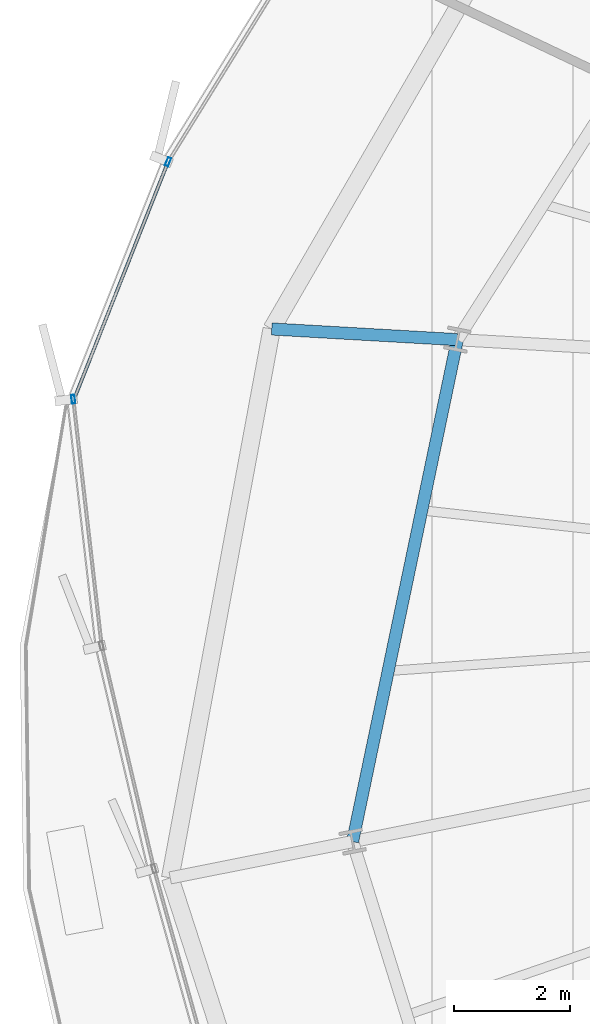
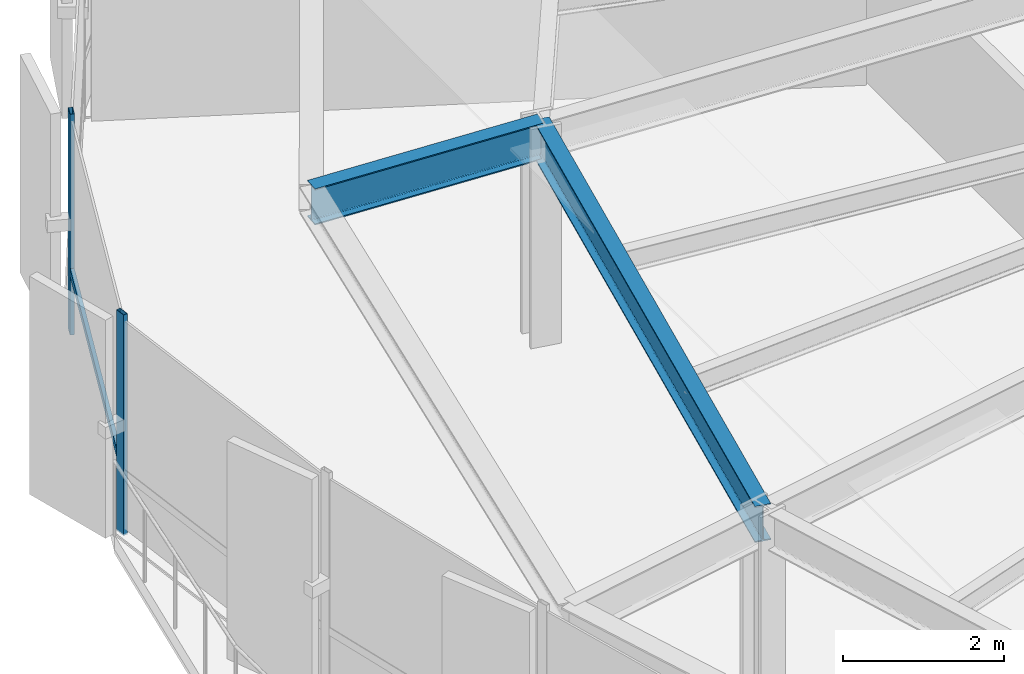
# One storey, part 10 of 33: 3 members, 2 beams, 1 element without a shape of its own.
"""IFC4 building model written with IfcOpenShell, lengths in metres."""

from ifc_helpers import new_model, si_unit, direction, frame, origin, origin_2d, place, context, subcontext, project, spatial, hollow_rectangle, i_section, extrude, source, transform, mapped, material, layer, layer_set, material_profile, profile_set, type_object, element, aggregate, save


model = new_model("IFC4")

# Units and contexts
model_context = context("Model", 3, precision=1e-05, world=origin(), true_north=direction((0.0, 1.0)))
body_context = subcontext(model_context, "Body", "Model", "MODEL_VIEW")
ifc_project = project(units=[si_unit("LENGTHUNIT", "METRE"), si_unit("AREAUNIT", "SQUARE_METRE"), si_unit("VOLUMEUNIT", "CUBIC_METRE"), si_unit("PLANEANGLEUNIT", "RADIAN"), si_unit("MASSUNIT", "GRAM", prefix="KILO"), si_unit("THERMODYNAMICTEMPERATUREUNIT", "KELVIN")], contexts=[model_context])

# Site, building, storey
site_placement = place(None, origin())
site = spatial("IfcSite", under=ifc_project, at=site_placement, CompositionType="ELEMENT")
building_placement = place(site_placement, origin())
building = spatial("IfcBuilding", under=site, at=building_placement, Name="Kethvar Cultural Tower", CompositionType="ELEMENT")
storey_placement = place(building_placement, frame((0.0, 0.0, 110.800048828125)))
storey = spatial("IfcBuildingStorey", under=building, at=storey_placement, Name="L27", CompositionType="ELEMENT", Elevation=110.800048828125)

# Beams
ifc_material_1 = material(Name="Steel S355J2", Category="steel")
ifc_material_profile_1 = material_profile(ifc_material_1, i_section(OverallWidth=0.2099609375, OverallDepth=0.550048828125, WebThickness=0.010986328125, FlangeThickness=0.01708984375, FilletRadius=0.02392578125, at=origin_2d()), Name="Steel S355J2 — IPE550")
ifc_profile_set_1 = profile_set([ifc_material_profile_1], Name="Steel S355J2 — IPE550")
beam_type = type_object("IfcBeamType", Name="BM-IPE550", PredefinedType="BEAM", material=ifc_profile_set_1)
shared_shape_1 = source(origin(), body_context, "Body", "SweptSolid", [
    extrude(i_section(OverallWidth=0.2099609375, OverallDepth=0.550048828125, WebThickness=0.010986328125, FlangeThickness=0.01708984375, FilletRadius=0.02392578125, at=origin_2d()), origin(), (0.0, 0.0, 1.0), 3.2001953125),
])
beam_1_placement = place(storey_placement, frame((25.988525390625, 31.939697265625, 3.072998046875), z_axis=(-0.998357274949, 0.057295301352, 0.0), x_axis=(-0.057295301352, -0.998357274949, 0.0)))
element("IfcBeam", 1, at=beam_1_placement, inside=storey, type_object=beam_type, Name="L27 Perimeter Cantilever Beam RC-08", PredefinedType="BEAM", context=body_context, shape_type="MappedRepresentation", body=[
    mapped(shared_shape_1, transform((0.0, 0.0, 0.0), scale=1.0)),
])
shared_shape_2 = source(origin(), body_context, "Body", "SweptSolid", [
    extrude(i_section(OverallWidth=0.2099609375, OverallDepth=0.550048828125, WebThickness=0.010986328125, FlangeThickness=0.01708984375, FilletRadius=0.02392578125, at=origin_2d()), origin(), (0.0, 0.0, 1.0), 8.82421875),
])
beam_2_placement = place(storey_placement, frame((25.988525390625, 31.939697265625, 3.072998046875), z_axis=(-0.204350879122, -0.978897705688, 0.0), x_axis=(0.978897705688, -0.204350879122, 0.0)))
element("IfcBeam", 2, at=beam_2_placement, inside=storey, type_object=beam_type, Name="L27 Column Ring Tie Beam CR-08", PredefinedType="BEAM", context=body_context, shape_type="MappedRepresentation", body=[
    mapped(shared_shape_2, transform((0.0, 0.0, 0.0), scale=1.0)),
])

# Curtain wall, members
ifc_material_2 = material(Name="Aluminium 6063-T6", Category="aluminium")
ifc_layer = layer(ifc_material_2, 0.179931640625, Name="Aluminium 6063-T6", Category="aluminium")
ifc_layer_set = layer_set([ifc_layer], Name="Aluminium 6063-T6 (180 mm)")
curtain_wall_type = type_object("IfcCurtainWallType", Name="CW-SYS-03-Z2", PredefinedType="NOTDEFINED", material=ifc_layer_set)
curtain_wall_placement = place(storey_placement, origin())
curtain_wall = element("IfcCurtainWall", 3, at=curtain_wall_placement, inside=storey, type_object=curtain_wall_type, Name="L27 Curtain Wall Run 03", PredefinedType="NOTDEFINED")
ifc_material_profile_2 = material_profile(ifc_material_2, hollow_rectangle(XDim=0.06005859375, YDim=0.14990234375, WallThickness=0.0048828125, at=origin_2d()), Name="Aluminium 6063-T6 — RHS150x60x5")
ifc_profile_set_2 = profile_set([ifc_material_profile_2], Name="Aluminium 6063-T6 — RHS150x60x5")
member_type_1 = type_object("IfcMemberType", Name="CW-SYS-03-Z2-MUL", PredefinedType="MULLION", material=ifc_profile_set_2)
shared_shape_3 = source(origin(), body_context, "Body", "SweptSolid", [
    extrude(hollow_rectangle(XDim=0.06005859375, YDim=0.14990234375, WallThickness=0.0048828125, at=origin_2d()), origin(), (0.0, 0.0, 1.0), 3.349853515625),
])
member_1_placement = place(storey_placement, frame((21.0107421875, 34.999267578125, 0.0), z_axis=(0.0, 0.0, 1.0), x_axis=(0.929757209657, -0.368173235163, 0.0)))
member_1 = element("IfcMember", 4, at=member_1_placement, type_object=member_type_1, Name="CW-L27-R03 Mullion 3", PredefinedType="MULLION", context=body_context, shape_type="MappedRepresentation", body=[
    mapped(shared_shape_3, transform((0.0, 0.0, 0.0), scale=1.0)),
])
member_2_placement = place(storey_placement, frame((19.37890625, 30.915283203125, 0.0), z_axis=(0.0, 0.0, 1.0), x_axis=(0.99344678164, 0.11429563443, 0.0)))
member_2 = element("IfcMember", 5, at=member_2_placement, type_object=member_type_1, Name="CW-L27-R03 Mullion 4", PredefinedType="MULLION", context=body_context, shape_type="MappedRepresentation", body=[
    mapped(shared_shape_3, transform((0.0, 0.0, 0.0), scale=1.0)),
])
ifc_material_profile_3 = material_profile(ifc_material_2, hollow_rectangle(XDim=0.054931640625, YDim=0.1201171875, WallThickness=0.00390625, at=origin_2d()), Name="Aluminium 6063-T6 — RHS120x55x4")
ifc_profile_set_3 = profile_set([ifc_material_profile_3], Name="Aluminium 6063-T6 — RHS120x55x4")
member_type_2 = type_object("IfcMemberType", Name="CW-SYS-03-Z2-TRN", PredefinedType="USERDEFINED", material=ifc_profile_set_3)
shared_shape_4 = source(origin(), body_context, "Body", "SweptSolid", [
    extrude(hollow_rectangle(XDim=0.054931640625, YDim=0.1201171875, WallThickness=0.00390625, at=origin_2d()), origin(), (0.0, 0.0, 1.0), 4.36572265625),
])
member_3_placement = place(storey_placement, frame((20.994873046875, 34.958984375, 0.949951171875), z_axis=(-0.368139100681, -0.929770725797, 0.0), x_axis=(0.929770725797, -0.368139100681, 0.0)))
member_3 = element("IfcMember", 6, at=member_3_placement, type_object=member_type_2, Name="CW-L27-R03 Transom 3", ObjectType="TRANSOM", PredefinedType="USERDEFINED", context=body_context, shape_type="MappedRepresentation", body=[
    mapped(shared_shape_4, transform((0.0, 0.0, 0.0), scale=1.0)),
])
aggregate(curtain_wall, [member_1, member_2, member_3])

save(model, "model.ifc")
